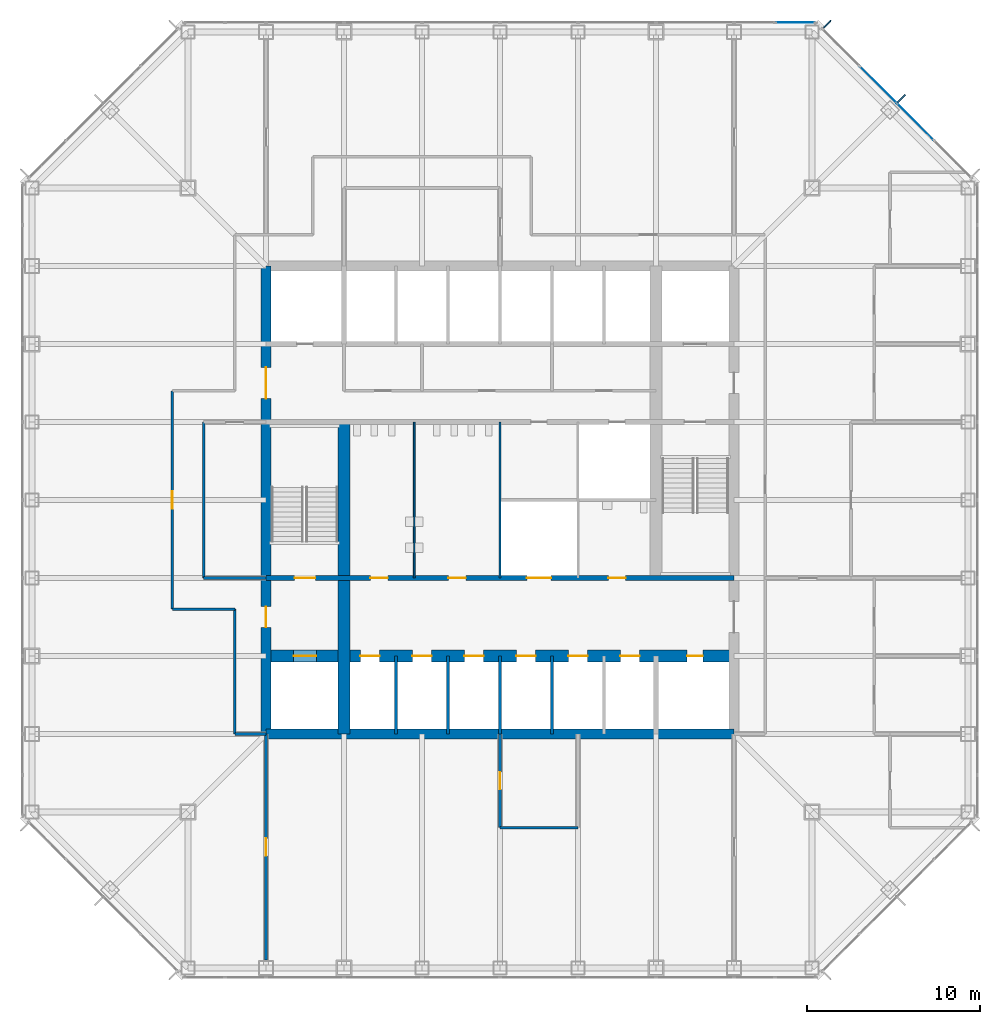
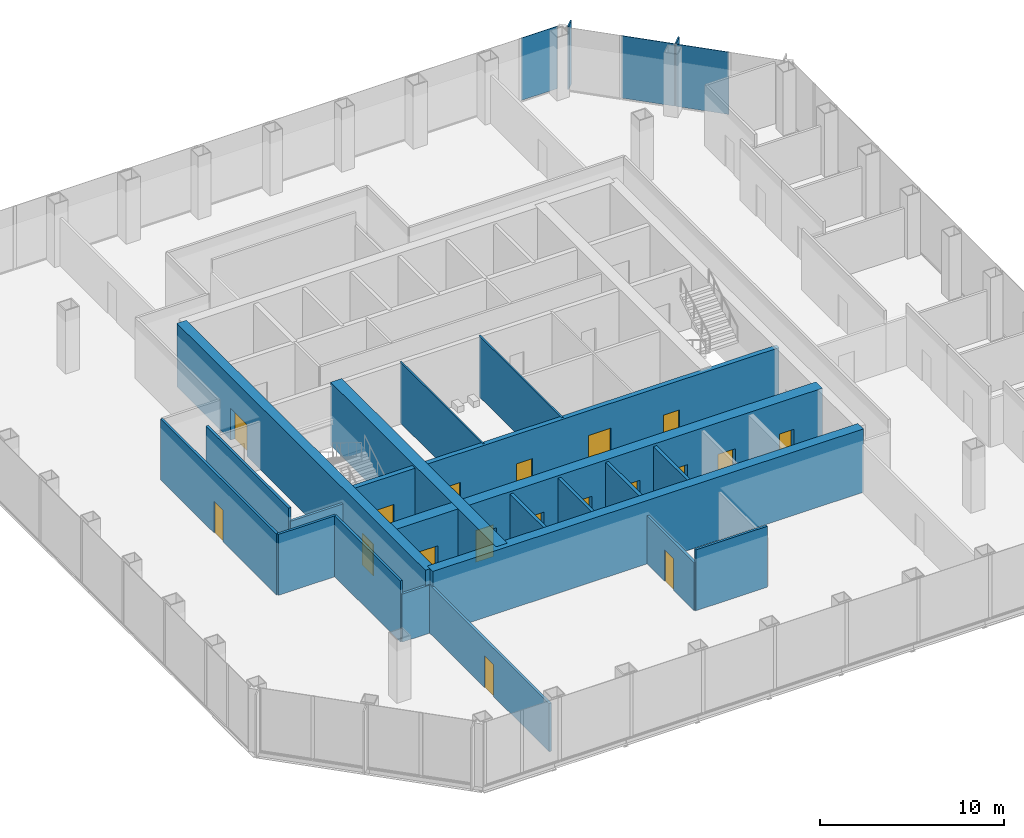
# One storey, part 8 of 12: 20 walls, 18 doors, 5 plates, 18 openings, 2 elements without a shape of their own.
"""IFC4 building model written with IfcOpenShell, lengths in metres."""

import ifcopenshell
import ifcopenshell.guid

model = None  # the IFC model being written
_history = None  # IfcOwnerHistory: only IFC2X3 demands one
_inside = {}  # id of a spatial element -> (the spatial element, [elements in it])
_under = {}  # id of a project, library or spatial element -> (it, [spatial elements below it])
_declared = {}  # id of a project -> (the project, [libraries it declares])
_typed = {}  # id of a type object -> (the type object, [elements of that type])
_made_of = {}  # id of a material, layer set ... -> (it, [elements and type objects made of it])


def new_model(schema):
    """Start an empty IFC model of exactly this schema.

    Asked for "IFC4X3", IfcOpenShell would pick the latest addendum, in which some entities
    have other attributes; the version numbers below select the first issue.
    IFC2X3 requires an IfcOwnerHistory on every rooted entity: one is made here for all.
    """
    global model, _history
    if schema == "IFC4X3":
        model = ifcopenshell.file(schema_version=(4, 3, 0, 0))
    else:
        model = ifcopenshell.file(schema=schema)
    _inside.clear()
    _under.clear()
    _declared.clear()
    _typed.clear()
    _made_of.clear()
    _history = None
    if model.schema == "IFC2X3":
        org = make("IfcOrganization", Name="unknown")
        user = make(
            "IfcPersonAndOrganization",
            ThePerson=make("IfcPerson", FamilyName="unknown"),
            TheOrganization=org,
        )
        app = make(
            "IfcApplication",
            ApplicationDeveloper=org,
            Version="unknown",
            ApplicationFullName="unknown",
            ApplicationIdentifier="unknown",
        )
        _history = make(
            "IfcOwnerHistory",
            OwningUser=user,
            OwningApplication=app,
            ChangeAction="ADDED",
            CreationDate=0,
        )
    return model


def make(cls, **values):
    """One entity of the class cls with the attributes given. An attribute that is None is left unset."""
    return model.create_entity(
        cls, **{name: value for name, value in values.items() if value is not None}
    )


def rooted(cls, **values):
    """An entity with a GlobalId (a new one), such as an element, a storey or a relation."""
    return make(cls, GlobalId=ifcopenshell.guid.new(), OwnerHistory=_history, **values)


def si_unit(unit_type, name, prefix=None):
    """IfcSIUnit, for example si_unit("LENGTHUNIT", "METRE", prefix="MILLI")."""
    return make("IfcSIUnit", UnitType=unit_type, Prefix=prefix, Name=name)


def assignment(units):
    """IfcUnitAssignment: the units of a project."""
    return None if units is None else make("IfcUnitAssignment", Units=units)


def point(xyz):
    """IfcCartesianPoint."""
    return None if xyz is None else make("IfcCartesianPoint", Coordinates=xyz)


def direction(xyz):
    """IfcDirection."""
    return None if xyz is None else make("IfcDirection", DirectionRatios=xyz)


def frame(location, z_axis=None, x_axis=None):
    """IfcAxis2Placement3D, a coordinate frame: its origin and axes. An axis left out is left unset."""
    return make(
        "IfcAxis2Placement3D",
        Location=point(location),
        Axis=direction(z_axis),
        RefDirection=direction(x_axis),
    )


def frame_2d(location, x_axis=None):
    """IfcAxis2Placement2D, a coordinate frame in the plane: its origin and x axis."""
    return make(
        "IfcAxis2Placement2D", Location=point(location), RefDirection=direction(x_axis)
    )


def origin():
    """The frame at (0, 0, 0) with its axes left unset."""
    return frame((0.0, 0.0, 0.0))


def origin_2d():
    """The frame at (0, 0) in the plane with its x axis left unset."""
    return frame_2d((0.0, 0.0))


def place(relative_to, where):
    """IfcLocalPlacement: puts the frame where relative to a parent placement (None: the world)."""
    return make(
        "IfcLocalPlacement", PlacementRelTo=relative_to, RelativePlacement=where
    )


def context(
    kind, dimensions, precision=None, world=None, true_north=None, identifier=None
):
    """IfcGeometricRepresentationContext, for example the 3D "Model" context."""
    return make(
        "IfcGeometricRepresentationContext",
        ContextIdentifier=identifier,
        ContextType=kind,
        CoordinateSpaceDimension=dimensions,
        Precision=precision,
        WorldCoordinateSystem=world,
        TrueNorth=true_north,
    )


def subcontext(parent, identifier, kind, view, scale=None):
    """IfcGeometricRepresentationSubContext, for example "Body" below "Model"."""
    return make(
        "IfcGeometricRepresentationSubContext",
        ContextIdentifier=identifier,
        ContextType=kind,
        ParentContext=parent,
        TargetScale=scale,
        TargetView=view,
    )


def project(units=None, contexts=None):
    """IfcProject with its units and contexts."""
    return rooted(
        "IfcProject",
        Name="project",
        RepresentationContexts=contexts,
        UnitsInContext=assignment(units),
    )


def spatial(cls, under=None, at=None, **own):
    """A site, building, storey or space (cls), placed at a placement, below another one or the project."""
    s = rooted(cls, ObjectPlacement=at, **own)
    if under is not None:
        _under.setdefault(under.id(), (under, []))[1].append(s)
    return s


def profile(cls, at=None, kind="AREA", **sizes):
    """A parametric profile (cls). Its sizes go by their IFC names, for example OverallWidth=200.0."""
    return make(cls, ProfileType=kind, Position=at, **sizes)


def rectangle(**sizes):
    """IfcRectangleProfileDef."""
    return profile("IfcRectangleProfileDef", **sizes)


def extrude(swept, where, along, depth):
    """IfcExtrudedAreaSolid: the profile swept, set in the frame where, extruded along a direction by depth."""
    return make(
        "IfcExtrudedAreaSolid",
        SweptArea=swept,
        Position=where,
        ExtrudedDirection=direction(along),
        Depth=depth,
    )


def shape(context_of_items, identifier, shape_type, items):
    """IfcShapeRepresentation: the items that make up one representation, for example the "Body"."""
    return make(
        "IfcShapeRepresentation",
        ContextOfItems=context_of_items,
        RepresentationIdentifier=identifier,
        RepresentationType=shape_type,
        Items=items,
    )


def material(Name=None, Category=None):
    """IfcMaterial."""
    return make("IfcMaterial", Name=Name, Category=Category)


def layer(
    of_material, thickness, ventilated=None, Name=None, Category=None, Priority=None
):
    """IfcMaterialLayer: one layer of a wall or slab, of a material (None: an air gap)."""
    return make(
        "IfcMaterialLayer",
        Material=of_material,
        LayerThickness=thickness,
        IsVentilated=ventilated,
        Name=Name,
        Category=Category,
        Priority=Priority,
    )


def layer_set(layers, Name=None):
    """IfcMaterialLayerSet."""
    return make("IfcMaterialLayerSet", MaterialLayers=layers, LayerSetName=Name)


def made_of(thing, what):
    """Note that an element or type object is made of a material, layer set ...; save() writes the relation."""
    if what is not None:
        _made_of.setdefault(what.id(), (what, []))[1].append(thing)
    return thing


def type_object(cls, material=None, **own):
    """A type object (cls), such as IfcWallType, which elements share."""
    return made_of(rooted(cls, **own), material)


def element(
    cls,
    number,
    at=None,
    inside=None,
    cuts=None,
    type_object=None,
    material=None,
    context=None,
    identifier="Body",
    shape_type=None,
    held_by="IfcProductDefinitionShape",
    body=None,
    shapes=None,
    **own,
):
    """One element of the class cls, such as IfcWall. Its Tag is "e" and its number.

    at: its placement. inside: the storey or other place that contains it. cuts: it is an
    opening in that element (IfcRelVoidsElement). A single representation is given by context,
    identifier, shape_type and body (its items); several are given by shapes. held_by: the class
    of the entity that holds the representations. save() writes the other relations.
    """
    e = rooted(cls, Tag="e%d" % number, ObjectPlacement=at, **own)
    if body is not None:
        shapes = [shape(context, identifier, shape_type, body)]
    if shapes is not None:
        e.Representation = make(held_by, Representations=shapes)
    if inside is not None:
        _inside.setdefault(inside.id(), (inside, []))[1].append(e)
    if cuts is not None:
        rooted(
            "IfcRelVoidsElement", RelatingBuildingElement=cuts, RelatedOpeningElement=e
        )
    if type_object is not None:
        _typed.setdefault(type_object.id(), (type_object, []))[1].append(e)
    return made_of(e, material)


def fill(opening, filler):
    """IfcRelFillsElement: the door or window that sits in an opening."""
    return rooted(
        "IfcRelFillsElement",
        RelatingOpeningElement=opening,
        RelatedBuildingElement=filler,
    )


def aggregate(whole, parts):
    """IfcRelAggregates: a whole, such as a stair, and the parts it consists of."""
    return rooted("IfcRelAggregates", RelatingObject=whole, RelatedObjects=parts)


def save(model, path):
    """Write the relations noted so far, then the file.

    IfcRelAggregates (storeys below a building ...), IfcRelContainedInSpatialStructure (elements
    in a storey), IfcRelDefinesByType, IfcRelAssociatesMaterial and IfcRelDeclares: one each for
    every whole, place, type object, material and project.
    """
    for whole, parts in _under.values():
        aggregate(whole, parts)
    for where, things in _inside.values():
        rooted(
            "IfcRelContainedInSpatialStructure",
            RelatedElements=things,
            RelatingStructure=where,
        )
    for kind, things in _typed.values():
        rooted("IfcRelDefinesByType", RelatedObjects=things, RelatingType=kind)
    for what, things in _made_of.values():
        rooted("IfcRelAssociatesMaterial", RelatedObjects=things, RelatingMaterial=what)
    for by, libraries in _declared.values():
        rooted("IfcRelDeclares", RelatingContext=by, RelatedDefinitions=libraries)
    model.write(path)


model = new_model("IFC4")

# Units and contexts
model_context = context("Model", 3, precision=1e-05, world=origin(), true_north=direction((0.0, 1.0)))
body_context = subcontext(model_context, "Body", "Model", "MODEL_VIEW")
ifc_project = project(units=[si_unit("LENGTHUNIT", "METRE"), si_unit("AREAUNIT", "SQUARE_METRE"), si_unit("VOLUMEUNIT", "CUBIC_METRE"), si_unit("PLANEANGLEUNIT", "RADIAN"), si_unit("MASSUNIT", "GRAM", prefix="KILO")], contexts=[model_context])

# Site, building, storey
site_placement = place(None, origin())
site = spatial("IfcSite", under=ifc_project, at=site_placement, CompositionType="ELEMENT")
building_placement = place(site_placement, origin())
building = spatial("IfcBuilding", under=site, at=building_placement, Name="Corais Broadcast Tower", CompositionType="ELEMENT")
storey_placement = place(building_placement, frame((0.0, 0.0, 71.0)))
storey = spatial("IfcBuildingStorey", under=building, at=storey_placement, Name="L15", CompositionType="ELEMENT", Elevation=71.0)

# Curtain wall, plate
ifc_material_1 = material(Name="Aluminium and glass", Category="aluminium")
curtain_wall_type = type_object("IfcCurtainWallType", Name="Unitised fritted curtain wall CW1", PredefinedType="NOTDEFINED", material=ifc_material_1)
curtain_wall_1_placement = place(storey_placement, origin())
curtain_wall_1 = element("IfcCurtainWall", 1, at=curtain_wall_1_placement, inside=storey, type_object=curtain_wall_type, Name="CW1 curtain wall L15 5", PredefinedType="NOTDEFINED")
ifc_material_2 = material(Name="Ceramic-fritted laminated glass", Category="glass")
ifc_layer_1 = layer(ifc_material_2, 0.030029296875)
ifc_layer_set_1 = layer_set([ifc_layer_1], Name="Ceramic-fritted laminated glass")
plate_type_1 = type_object("IfcPlateType", Name="Fritted glass panel CW1", PredefinedType="CURTAIN_PANEL", material=ifc_layer_set_1)
plate_1_placement = place(storey_placement, frame((50.9658203125, 48.81201171875, 0.06494140625), z_axis=(0.0, 0.0, 1.0), x_axis=(0.707106781187, -0.707106781187, 0.0)))
plate_1 = element("IfcPlate", 2, at=plate_1_placement, type_object=plate_type_1, Name="CW1 panel 3", PredefinedType="CURTAIN_PANEL", context=body_context, shape_type="SweptSolid", body=[
    extrude(rectangle(XDim=2.98095703125, YDim=0.030029296875, at=origin_2d()), origin(), (0.0, 0.0, 1.0), 4.135009765625),
])

curtain_wall_2_placement = place(storey_placement, origin())
curtain_wall_2 = element("IfcCurtainWall", 3, at=curtain_wall_2_placement, inside=storey, type_object=curtain_wall_type, Name="CW1 curtain wall L15 4", PredefinedType="NOTDEFINED")
ifc_material_3 = material(Name="Clear laminated glass", Category="glass")
ifc_layer_2 = layer(ifc_material_3, 0.033935546875)
ifc_layer_set_2 = layer_set([ifc_layer_2], Name="Clear laminated glass")
plate_type_2 = type_object("IfcPlateType", Name="Operable glass panel CW1", PredefinedType="CURTAIN_PANEL", material=ifc_layer_set_2)
plate_2_placement = place(storey_placement, frame((44.029541015625, 54.550048828125, 0.06494140625), z_axis=(0.0, 0.0, 1.0), x_axis=(1.0, 0.0, 0.0)))
plate_2 = element("IfcPlate", 4, at=plate_2_placement, type_object=plate_type_2, Name="CW1 operable panel 10", PredefinedType="CURTAIN_PANEL", context=body_context, shape_type="SweptSolid", body=[
    extrude(rectangle(XDim=2.266357421875, YDim=0.033935546875, at=origin_2d()), origin(), (0.0, 0.0, 1.0), 4.135009765625),
])
aggregate(curtain_wall_2, [plate_2])

# Plate
plate_3_placement = place(storey_placement, frame((48.81201171875, 50.9658203125, 0.06494140625), z_axis=(0.0, 0.0, 1.0), x_axis=(0.707106781187, -0.707106781187, 0.0)))
plate_3 = element("IfcPlate", 5, at=plate_3_placement, type_object=plate_type_2, Name="CW1 operable panel 2", PredefinedType="CURTAIN_PANEL", context=body_context, shape_type="SweptSolid", body=[
    extrude(rectangle(XDim=2.98095703125, YDim=0.033935546875, at=origin_2d()), origin(), (0.0, 0.0, 1.0), 4.135009765625),
])

aggregate(curtain_wall_1, [plate_3, plate_1])

# Plates
ifc_material_4 = material(Name="Granite stone cladding", Category="masonry")
ifc_layer_3 = layer(ifc_material_4, 0.080078125)
ifc_layer_set_3 = layer_set([ifc_layer_3], Name="Granite stone cladding")
plate_type_3 = type_object("IfcPlateType", Name="Stone screen fin 80x600", PredefinedType="USERDEFINED", material=ifc_layer_set_3)
for number, where, z_axis, x_axis, name in (
    (6, (45.885009765625, 54.4541015625, 0.0), (0.0, 0.0, 1.0), (0.707106781187, -0.707106781187, 0.0), "SF1 stone screen fin L15"),
    (7, (50.169677734375, 50.169677734375, 0.0), (0.0, 0.0, 1.0), (0.707106781187, -0.707106781187, 0.0), "SF1 stone screen fin L15"),
):
    element("IfcPlate", number, at=place(storey_placement, frame(where, z_axis=z_axis, x_axis=x_axis)), inside=storey, type_object=plate_type_3, Name=name, ObjectType="STONE SCREEN FIN", PredefinedType="USERDEFINED", context=body_context, shape_type="SweptSolid", body=[
        extrude(rectangle(XDim=0.080078125, YDim=0.60009765625, at=origin_2d()), origin(), (0.0, 0.0, 1.0), 4.199951171875),
    ])

# Wall, openings, doors
ifc_material_5 = material(Name="Concrete blockwork class A, grouted, two-hour", Category="masonry")
ifc_layer_4 = layer(ifc_material_5, 0.300048828125)
ifc_layer_set_4 = layer_set([ifc_layer_4], Name="Concrete blockwork class A, grouted, two-hour")
wall_type_1 = type_object("IfcWallType", Name="Core lobby wall 300", PredefinedType="SOLIDWALL", material=ifc_layer_set_4)
wall_1_placement = place(storey_placement, frame((13.5, 22.5, 0.0), z_axis=(0.0, 0.0, 1.0), x_axis=(1.0, 0.0, 0.0)))
wall_1 = element("IfcWall", 8, at=wall_1_placement, inside=storey, type_object=wall_type_1, Name="CL1 core lobby wall Y225 L15", PredefinedType="SOLIDWALL", context=body_context, shape_type="SweptSolid", body=[
    extrude(rectangle(XDim=27.0, YDim=0.300048828125, at=frame_2d((13.5, 0.0))), origin(), (0.0, 0.0, 1.0), 4.0400390625),
])
opening_1_placement = place(wall_1_placement, frame((1.64990234375, 0.0, 0.0)))
opening_1 = element("IfcOpeningElement", 9, at=opening_1_placement, cuts=wall_1, Name="Opening FD1", PredefinedType="OPENING", context=body_context, shape_type="SweptSolid", body=[
    extrude(rectangle(XDim=1.199951171875, YDim=2.10009765625, at=frame_2d((0.60009765625, 1.050048828125))), frame((0.0, 0.159912109375, 0.0), z_axis=(0.0, -1.0, 0.0), x_axis=(1.0, 0.0, 0.0)), (0.0, 0.0, 1.0), 0.320068359375),
])
opening_2_placement = place(wall_1_placement, frame((6.02490234375, 0.0, 0.0)))
opening_2 = element("IfcOpeningElement", 10, at=opening_2_placement, cuts=wall_1, Name="Opening WD1", PredefinedType="OPENING", context=body_context, shape_type="SweptSolid", body=[
    extrude(rectangle(XDim=1.0, YDim=2.10009765625, at=frame_2d((0.5, 1.050048828125))), frame((0.0, 0.159912109375, 0.0), z_axis=(0.0, -1.0, 0.0), x_axis=(1.0, 0.0, 0.0)), (0.0, 0.0, 1.0), 0.320068359375),
])
opening_3_placement = place(wall_1_placement, frame((10.52490234375, 0.0, 0.0)))
opening_3 = element("IfcOpeningElement", 11, at=opening_3_placement, cuts=wall_1, Name="Opening WD1", PredefinedType="OPENING", context=body_context, shape_type="SweptSolid", body=[
    extrude(rectangle(XDim=1.0, YDim=2.10009765625, at=frame_2d((0.5, 1.050048828125))), frame((0.0, 0.159912109375, 0.0), z_axis=(0.0, -1.0, 0.0), x_axis=(1.0, 0.0, 0.0)), (0.0, 0.0, 1.0), 0.320068359375),
])
opening_4_placement = place(wall_1_placement, frame((19.75, 0.0, 0.0)))
opening_4 = element("IfcOpeningElement", 12, at=opening_4_placement, cuts=wall_1, Name="Opening WD1", PredefinedType="OPENING", context=body_context, shape_type="SweptSolid", body=[
    extrude(rectangle(XDim=1.0, YDim=2.10009765625, at=frame_2d((0.5, 1.050048828125))), frame((0.0, 0.159912109375, 0.0), z_axis=(0.0, -1.0, 0.0), x_axis=(1.0, 0.0, 0.0)), (0.0, 0.0, 1.0), 0.320068359375),
])
opening_5_placement = place(wall_1_placement, frame((15.050048828125, 0.0, 0.0)))
opening_5 = element("IfcOpeningElement", 13, at=opening_5_placement, cuts=wall_1, Name="Opening LD3", PredefinedType="OPENING", context=body_context, shape_type="SweptSolid", body=[
    extrude(rectangle(XDim=1.39990234375, YDim=2.39990234375, at=frame_2d((0.699951171875, 1.199951171875))), frame((0.0, 0.159912109375, 0.0), z_axis=(0.0, -1.0, 0.0), x_axis=(1.0, 0.0, 0.0)), (0.0, 0.0, 1.0), 0.320068359375),
])
ifc_material_6 = material(Name="Steel fire door", Category="steel")
door_type_1 = type_object("IfcDoorType", Name="Fire door 1200x2100", OperationType="SINGLE_SWING_LEFT", PredefinedType="DOOR", material=ifc_material_6)
door_1_placement = place(opening_1_placement, origin())
door_1 = element("IfcDoor", 14, at=door_1_placement, inside=storey, type_object=door_type_1, Name="FD1 stair A door L15", OperationType="SINGLE_SWING_LEFT", OverallHeight=2.10009765625, OverallWidth=1.199951171875, PredefinedType="DOOR", context=body_context, shape_type="SweptSolid", body=[
    extrude(rectangle(XDim=1.199951171875, YDim=2.10009765625, at=frame_2d((0.60009765625, 1.050048828125))), frame((0.0, 0.02490234375, 0.0), z_axis=(0.0, -1.0, 0.0), x_axis=(1.0, 0.0, 0.0)), (0.0, 0.0, 1.0), 0.050048828125),
])
fill(opening_1, door_1)
ifc_material_7 = material(Name="Stainless steel lift door", Category="steel")
door_type_2 = type_object("IfcDoorType", Name="Service lift landing door 1400x2400", OperationType="SLIDING_TO_LEFT", PredefinedType="DOOR", material=ifc_material_7)
door_2_placement = place(opening_5_placement, origin())
door_2 = element("IfcDoor", 15, at=door_2_placement, inside=storey, type_object=door_type_2, Name="LD3 SL1 landing door L15", OperationType="SLIDING_TO_LEFT", OverallHeight=2.39990234375, OverallWidth=1.39990234375, PredefinedType="DOOR", context=body_context, shape_type="SweptSolid", body=[
    extrude(rectangle(XDim=1.39990234375, YDim=2.39990234375, at=frame_2d((0.699951171875, 1.199951171875))), frame((0.0, 0.02490234375, 0.0), z_axis=(0.0, -1.0, 0.0), x_axis=(1.0, 0.0, 0.0)), (0.0, 0.0, 1.0), 0.050048828125),
])
fill(opening_5, door_2)
ifc_material_8 = material(Name="Timber door", Category="wood")
door_type_3 = type_object("IfcDoorType", Name="Toilet door 1000x2100", OperationType="SINGLE_SWING_LEFT", PredefinedType="DOOR", material=ifc_material_8)
door_3_placement = place(opening_2_placement, origin())
door_3 = element("IfcDoor", 16, at=door_3_placement, inside=storey, type_object=door_type_3, Name="WD1 WC male door L15", OperationType="SINGLE_SWING_LEFT", OverallHeight=2.10009765625, OverallWidth=1.0, PredefinedType="DOOR", context=body_context, shape_type="SweptSolid", body=[
    extrude(rectangle(XDim=1.0, YDim=2.10009765625, at=frame_2d((0.5, 1.050048828125))), frame((0.0, 0.02490234375, 0.0), z_axis=(0.0, -1.0, 0.0), x_axis=(1.0, 0.0, 0.0)), (0.0, 0.0, 1.0), 0.050048828125),
])
fill(opening_2, door_3)
door_4_placement = place(opening_3_placement, origin())
door_4 = element("IfcDoor", 17, at=door_4_placement, inside=storey, type_object=door_type_3, Name="WD1 WC female door L15", OperationType="SINGLE_SWING_LEFT", OverallHeight=2.10009765625, OverallWidth=1.0, PredefinedType="DOOR", context=body_context, shape_type="SweptSolid", body=[
    extrude(rectangle(XDim=1.0, YDim=2.10009765625, at=frame_2d((0.5, 1.050048828125))), frame((0.0, 0.02490234375, 0.0), z_axis=(0.0, -1.0, 0.0), x_axis=(1.0, 0.0, 0.0)), (0.0, 0.0, 1.0), 0.050048828125),
])
fill(opening_3, door_4)
door_5_placement = place(opening_4_placement, origin())
door_5 = element("IfcDoor", 18, at=door_5_placement, inside=storey, type_object=door_type_3, Name="WD1 accessible WC door L15", OperationType="SINGLE_SWING_RIGHT", OverallHeight=2.10009765625, OverallWidth=1.0, PredefinedType="DOOR", context=body_context, shape_type="SweptSolid", body=[
    extrude(rectangle(XDim=1.0, YDim=2.10009765625, at=frame_2d((0.5, 1.050048828125))), frame((0.0, 0.02490234375, 0.0), z_axis=(0.0, -1.0, 0.0), x_axis=(1.0, 0.0, 0.0)), (0.0, 0.0, 1.0), 0.050048828125),
])
fill(opening_4, door_5)

# Wall
ifc_material_9 = material(Name="Concrete C50/60", Category="concrete")
ifc_layer_5 = layer(ifc_material_9, 0.699951171875)
ifc_layer_set_5 = layer_set([ifc_layer_5], Name="Concrete C50/60")
wall_type_2 = type_object("IfcWallType", Name="Core spine wall 700", PredefinedType="SHEAR", material=ifc_layer_set_5)
wall_2_placement = place(storey_placement, frame((18.0, 13.5, 0.0), z_axis=(0.0, 0.0, 1.0), x_axis=(0.0, 1.0, 0.0)))
element("IfcWall", 19, at=wall_2_placement, inside=storey, type_object=wall_type_2, Name="CR700 core wall X18A L15", PredefinedType="SHEAR", context=body_context, shape_type="SweptSolid", body=[
    extrude(rectangle(XDim=18.0, YDim=0.699951171875, at=frame_2d((9.0, 0.0))), origin(), (0.0, 0.0, 1.0), 4.199951171875),
])

# Wall, openings, doors
wall_3_placement = place(storey_placement, frame((13.5, 18.0, 0.0), z_axis=(0.0, 0.0, 1.0), x_axis=(1.0, 0.0, 0.0)))
wall_3 = element("IfcWall", 20, at=wall_3_placement, inside=storey, type_object=wall_type_2, Name="CR700 core wall Y18 L15", PredefinedType="SHEAR", context=body_context, shape_type="SweptSolid", body=[
    extrude(rectangle(XDim=27.0, YDim=0.699951171875, at=frame_2d((13.5, 0.0))), origin(), (0.0, 0.0, 1.0), 4.199951171875),
])
opening_6_placement = place(wall_3_placement, frame((24.300048828125, 0.0, 0.0)))
opening_6 = element("IfcOpeningElement", 21, at=opening_6_placement, cuts=wall_3, Name="Opening RD1", PredefinedType="OPENING", context=body_context, shape_type="SweptSolid", body=[
    extrude(rectangle(XDim=0.89990234375, YDim=2.10009765625, at=frame_2d((0.449951171875, 1.050048828125))), frame((0.0, 0.35986328125, 0.0), z_axis=(0.0, -1.0, 0.0), x_axis=(1.0, 0.0, 0.0)), (0.0, 0.0, 1.0), 0.719970703125),
])
opening_7_placement = place(wall_3_placement, frame((5.449951171875, 0.0, 0.0)))
opening_7 = element("IfcOpeningElement", 22, at=opening_7_placement, cuts=wall_3, Name="Opening LD1", PredefinedType="OPENING", context=body_context, shape_type="SweptSolid", body=[
    extrude(rectangle(XDim=1.10009765625, YDim=2.10009765625, at=frame_2d((0.550048828125, 1.050048828125))), frame((0.0, 0.35986328125, 0.0), z_axis=(0.0, -1.0, 0.0), x_axis=(1.0, 0.0, 0.0)), (0.0, 0.0, 1.0), 0.719970703125),
])
opening_8_placement = place(wall_3_placement, frame((8.449951171875, 0.0, 0.0)))
opening_8 = element("IfcOpeningElement", 23, at=opening_8_placement, cuts=wall_3, Name="Opening LD1", PredefinedType="OPENING", context=body_context, shape_type="SweptSolid", body=[
    extrude(rectangle(XDim=1.10009765625, YDim=2.10009765625, at=frame_2d((0.550048828125, 1.050048828125))), frame((0.0, 0.35986328125, 0.0), z_axis=(0.0, -1.0, 0.0), x_axis=(1.0, 0.0, 0.0)), (0.0, 0.0, 1.0), 0.719970703125),
])
opening_9_placement = place(wall_3_placement, frame((11.449951171875, 0.0, 0.0)))
opening_9 = element("IfcOpeningElement", 24, at=opening_9_placement, cuts=wall_3, Name="Opening LD1", PredefinedType="OPENING", context=body_context, shape_type="SweptSolid", body=[
    extrude(rectangle(XDim=1.10009765625, YDim=2.10009765625, at=frame_2d((0.550048828125, 1.050048828125))), frame((0.0, 0.35986328125, 0.0), z_axis=(0.0, -1.0, 0.0), x_axis=(1.0, 0.0, 0.0)), (0.0, 0.0, 1.0), 0.719970703125),
])
opening_10_placement = place(wall_3_placement, frame((14.449951171875, 0.0, 0.0)))
opening_10 = element("IfcOpeningElement", 25, at=opening_10_placement, cuts=wall_3, Name="Opening LD1", PredefinedType="OPENING", context=body_context, shape_type="SweptSolid", body=[
    extrude(rectangle(XDim=1.10009765625, YDim=2.10009765625, at=frame_2d((0.550048828125, 1.050048828125))), frame((0.0, 0.35986328125, 0.0), z_axis=(0.0, -1.0, 0.0), x_axis=(1.0, 0.0, 0.0)), (0.0, 0.0, 1.0), 0.719970703125),
])
opening_11_placement = place(wall_3_placement, frame((17.449951171875, 0.0, 0.0)))
opening_11 = element("IfcOpeningElement", 26, at=opening_11_placement, cuts=wall_3, Name="Opening LD1", PredefinedType="OPENING", context=body_context, shape_type="SweptSolid", body=[
    extrude(rectangle(XDim=1.10009765625, YDim=2.10009765625, at=frame_2d((0.550048828125, 1.050048828125))), frame((0.0, 0.35986328125, 0.0), z_axis=(0.0, -1.0, 0.0), x_axis=(1.0, 0.0, 0.0)), (0.0, 0.0, 1.0), 0.719970703125),
])
opening_12_placement = place(wall_3_placement, frame((20.449951171875, 0.0, 0.0)))
opening_12 = element("IfcOpeningElement", 27, at=opening_12_placement, cuts=wall_3, Name="Opening LD1", PredefinedType="OPENING", context=body_context, shape_type="SweptSolid", body=[
    extrude(rectangle(XDim=1.10009765625, YDim=2.10009765625, at=frame_2d((0.550048828125, 1.050048828125))), frame((0.0, 0.35986328125, 0.0), z_axis=(0.0, -1.0, 0.0), x_axis=(1.0, 0.0, 0.0)), (0.0, 0.0, 1.0), 0.719970703125),
])
opening_13_placement = place(wall_3_placement, frame((1.60009765625, 0.0, 0.0)))
opening_13 = element("IfcOpeningElement", 28, at=opening_13_placement, cuts=wall_3, Name="Opening LD2", PredefinedType="OPENING", context=body_context, shape_type="SweptSolid", body=[
    extrude(rectangle(XDim=1.300048828125, YDim=2.199951171875, at=frame_2d((0.64990234375, 1.10009765625))), frame((0.0, 0.35986328125, 0.0), z_axis=(0.0, -1.0, 0.0), x_axis=(1.0, 0.0, 0.0)), (0.0, 0.0, 1.0), 0.719970703125),
])
ifc_material_10 = material(Name="Stainless steel lift door", Category="steel")
door_type_4 = type_object("IfcDoorType", Name="Lift landing door 1100x2100", OperationType="SLIDING_TO_LEFT", PredefinedType="DOOR", material=ifc_material_10)
door_6_placement = place(opening_7_placement, origin())
door_6 = element("IfcDoor", 29, at=door_6_placement, inside=storey, type_object=door_type_4, Name="LD1 PL1 landing door L15", OperationType="SLIDING_TO_LEFT", OverallHeight=2.10009765625, OverallWidth=1.10009765625, PredefinedType="DOOR", context=body_context, shape_type="SweptSolid", body=[
    extrude(rectangle(XDim=1.10009765625, YDim=2.10009765625, at=frame_2d((0.550048828125, 1.050048828125))), frame((0.0, 0.02490234375, 0.0), z_axis=(0.0, -1.0, 0.0), x_axis=(1.0, 0.0, 0.0)), (0.0, 0.0, 1.0), 0.050048828125),
])
fill(opening_7, door_6)
door_7_placement = place(opening_8_placement, origin())
door_7 = element("IfcDoor", 30, at=door_7_placement, inside=storey, type_object=door_type_4, Name="LD1 PL2 landing door L15", OperationType="SLIDING_TO_LEFT", OverallHeight=2.10009765625, OverallWidth=1.10009765625, PredefinedType="DOOR", context=body_context, shape_type="SweptSolid", body=[
    extrude(rectangle(XDim=1.10009765625, YDim=2.10009765625, at=frame_2d((0.550048828125, 1.050048828125))), frame((0.0, 0.02490234375, 0.0), z_axis=(0.0, -1.0, 0.0), x_axis=(1.0, 0.0, 0.0)), (0.0, 0.0, 1.0), 0.050048828125),
])
fill(opening_8, door_7)
door_8_placement = place(opening_9_placement, origin())
door_8 = element("IfcDoor", 31, at=door_8_placement, inside=storey, type_object=door_type_4, Name="LD1 PL3 landing door L15", OperationType="SLIDING_TO_LEFT", OverallHeight=2.10009765625, OverallWidth=1.10009765625, PredefinedType="DOOR", context=body_context, shape_type="SweptSolid", body=[
    extrude(rectangle(XDim=1.10009765625, YDim=2.10009765625, at=frame_2d((0.550048828125, 1.050048828125))), frame((0.0, 0.02490234375, 0.0), z_axis=(0.0, -1.0, 0.0), x_axis=(1.0, 0.0, 0.0)), (0.0, 0.0, 1.0), 0.050048828125),
])
fill(opening_9, door_8)
door_9_placement = place(opening_10_placement, origin())
door_9 = element("IfcDoor", 32, at=door_9_placement, inside=storey, type_object=door_type_4, Name="LD1 PL4 landing door L15", OperationType="SLIDING_TO_LEFT", OverallHeight=2.10009765625, OverallWidth=1.10009765625, PredefinedType="DOOR", context=body_context, shape_type="SweptSolid", body=[
    extrude(rectangle(XDim=1.10009765625, YDim=2.10009765625, at=frame_2d((0.550048828125, 1.050048828125))), frame((0.0, 0.02490234375, 0.0), z_axis=(0.0, -1.0, 0.0), x_axis=(1.0, 0.0, 0.0)), (0.0, 0.0, 1.0), 0.050048828125),
])
fill(opening_10, door_9)
door_10_placement = place(opening_11_placement, origin())
door_10 = element("IfcDoor", 33, at=door_10_placement, inside=storey, type_object=door_type_4, Name="LD1 PL5 landing door L15", OperationType="SLIDING_TO_LEFT", OverallHeight=2.10009765625, OverallWidth=1.10009765625, PredefinedType="DOOR", context=body_context, shape_type="SweptSolid", body=[
    extrude(rectangle(XDim=1.10009765625, YDim=2.10009765625, at=frame_2d((0.550048828125, 1.050048828125))), frame((0.0, 0.02490234375, 0.0), z_axis=(0.0, -1.0, 0.0), x_axis=(1.0, 0.0, 0.0)), (0.0, 0.0, 1.0), 0.050048828125),
])
fill(opening_11, door_10)
door_11_placement = place(opening_12_placement, origin())
door_11 = element("IfcDoor", 34, at=door_11_placement, inside=storey, type_object=door_type_4, Name="LD1 PL6 landing door L15", OperationType="SLIDING_TO_LEFT", OverallHeight=2.10009765625, OverallWidth=1.10009765625, PredefinedType="DOOR", context=body_context, shape_type="SweptSolid", body=[
    extrude(rectangle(XDim=1.10009765625, YDim=2.10009765625, at=frame_2d((0.550048828125, 1.050048828125))), frame((0.0, 0.02490234375, 0.0), z_axis=(0.0, -1.0, 0.0), x_axis=(1.0, 0.0, 0.0)), (0.0, 0.0, 1.0), 0.050048828125),
])
fill(opening_12, door_11)
ifc_material_11 = material(Name="Stainless steel lift door", Category="steel")
door_type_5 = type_object("IfcDoorType", Name="Lift landing door 1300x2200", OperationType="SLIDING_TO_LEFT", PredefinedType="DOOR", material=ifc_material_11)
door_12_placement = place(opening_13_placement, origin())
door_12 = element("IfcDoor", 35, at=door_12_placement, inside=storey, type_object=door_type_5, Name="LD2 FL1 landing door L15", OperationType="SLIDING_TO_LEFT", OverallHeight=2.199951171875, OverallWidth=1.300048828125, PredefinedType="DOOR", context=body_context, shape_type="SweptSolid", body=[
    extrude(rectangle(XDim=1.300048828125, YDim=2.199951171875, at=frame_2d((0.64990234375, 1.10009765625))), frame((0.0, 0.02490234375, 0.0), z_axis=(0.0, -1.0, 0.0), x_axis=(1.0, 0.0, 0.0)), (0.0, 0.0, 1.0), 0.050048828125),
])
fill(opening_13, door_12)
ifc_material_12 = material(Name="Steel fire door", Category="steel")
door_type_6 = type_object("IfcDoorType", Name="Riser door 900x2100", OperationType="SINGLE_SWING_LEFT", PredefinedType="DOOR", material=ifc_material_12)
door_13_placement = place(opening_6_placement, origin())
door_13 = element("IfcDoor", 36, at=door_13_placement, inside=storey, type_object=door_type_6, Name="RD1 riser door L15", OperationType="SINGLE_SWING_RIGHT", OverallHeight=2.10009765625, OverallWidth=0.89990234375, PredefinedType="DOOR", context=body_context, shape_type="SweptSolid", body=[
    extrude(rectangle(XDim=0.89990234375, YDim=2.10009765625, at=frame_2d((0.449951171875, 1.050048828125))), frame((0.0, 0.02490234375, 0.0), z_axis=(0.0, -1.0, 0.0), x_axis=(1.0, 0.0, 0.0)), (0.0, 0.0, 1.0), 0.050048828125),
])
fill(opening_6, door_13)

# Wall
ifc_material_13 = material(Name="Concrete C50/60", Category="concrete")
ifc_layer_6 = layer(ifc_material_13, 0.60009765625)
ifc_layer_set_6 = layer_set([ifc_layer_6], Name="Concrete C50/60")
wall_type_3 = type_object("IfcWallType", Name="Core wall 600", PredefinedType="SHEAR", material=ifc_layer_set_6)
wall_4_placement = place(storey_placement, frame((13.5, 13.5, 0.0), z_axis=(0.0, 0.0, 1.0), x_axis=(1.0, 0.0, 0.0)))
element("IfcWall", 37, at=wall_4_placement, inside=storey, type_object=wall_type_3, Name="CR600 core wall S L15", PredefinedType="SHEAR", context=body_context, shape_type="SweptSolid", body=[
    extrude(rectangle(XDim=27.0, YDim=0.60009765625, at=frame_2d((13.5, 0.0))), origin(), (0.0, 0.0, 1.0), 4.199951171875),
])

# Wall, openings, doors
wall_5_placement = place(storey_placement, frame((13.5, 40.5, 0.0), z_axis=(0.0, 0.0, 1.0), x_axis=(0.0, -1.0, 0.0)))
wall_5 = element("IfcWall", 38, at=wall_5_placement, inside=storey, type_object=wall_type_3, Name="CR600 core wall W L15", PredefinedType="SHEAR", context=body_context, shape_type="SweptSolid", body=[
    extrude(rectangle(XDim=27.0, YDim=0.60009765625, at=frame_2d((13.5, 0.0))), origin(), (0.0, 0.0, 1.0), 4.199951171875),
])
opening_14_placement = place(wall_5_placement, frame((19.64990234375, 0.0, 0.0)))
opening_14 = element("IfcOpeningElement", 39, at=opening_14_placement, cuts=wall_5, Name="Opening FD1", PredefinedType="OPENING", context=body_context, shape_type="SweptSolid", body=[
    extrude(rectangle(XDim=1.199951171875, YDim=2.10009765625, at=frame_2d((0.60009765625, 1.050048828125))), frame((0.0, 0.31005859375, 0.0), z_axis=(0.0, -1.0, 0.0), x_axis=(1.0, 0.0, 0.0)), (0.0, 0.0, 1.0), 0.6201171875),
])
opening_15_placement = place(wall_5_placement, frame((5.85009765625, 0.0, 0.0)))
opening_15 = element("IfcOpeningElement", 40, at=opening_15_placement, cuts=wall_5, Name="Opening FD2", PredefinedType="OPENING", context=body_context, shape_type="SweptSolid", body=[
    extrude(rectangle(XDim=1.800048828125, YDim=2.10009765625, at=frame_2d((0.89990234375, 1.050048828125))), frame((0.0, 0.31005859375, 0.0), z_axis=(0.0, -1.0, 0.0), x_axis=(1.0, 0.0, 0.0)), (0.0, 0.0, 1.0), 0.6201171875),
])
door_14_placement = place(opening_14_placement, origin())
door_14 = element("IfcDoor", 41, at=door_14_placement, inside=storey, type_object=door_type_1, Name="FD1 fire lobby A door L15", OperationType="SINGLE_SWING_RIGHT", OverallHeight=2.10009765625, OverallWidth=1.199951171875, PredefinedType="DOOR", context=body_context, shape_type="SweptSolid", body=[
    extrude(rectangle(XDim=1.199951171875, YDim=2.10009765625, at=frame_2d((0.60009765625, 1.050048828125))), frame((0.0, 0.02490234375, 0.0), z_axis=(0.0, -1.0, 0.0), x_axis=(1.0, 0.0, 0.0)), (0.0, 0.0, 1.0), 0.050048828125),
])
fill(opening_14, door_14)
ifc_material_14 = material(Name="Steel fire door", Category="steel")
door_type_7 = type_object("IfcDoorType", Name="Fire door pair 1800x2100", OperationType="DOUBLE_DOOR_SINGLE_SWING", PredefinedType="DOOR", material=ifc_material_14)
door_15_placement = place(opening_15_placement, origin())
door_15 = element("IfcDoor", 42, at=door_15_placement, inside=storey, type_object=door_type_7, Name="FD2 lift lobby door L15", OperationType="SINGLE_SWING_LEFT", OverallHeight=2.10009765625, OverallWidth=1.800048828125, PredefinedType="DOOR", context=body_context, shape_type="SweptSolid", body=[
    extrude(rectangle(XDim=1.800048828125, YDim=2.10009765625, at=frame_2d((0.89990234375, 1.050048828125))), frame((0.0, 0.02490234375, 0.0), z_axis=(0.0, -1.0, 0.0), x_axis=(1.0, 0.0, 0.0)), (0.0, 0.0, 1.0), 0.050048828125),
])
fill(opening_15, door_15)

# Wall, opening, door
ifc_material_15 = material(Name="Gypsum board on steel studs", Category="steel")
ifc_layer_7 = layer(ifc_material_15, 0.14990234375)
ifc_layer_set_7 = layer_set([ifc_layer_7], Name="Gypsum board on steel studs")
wall_type_4 = type_object("IfcWallType", Name="Partition 150", PredefinedType="PARTITIONING", material=ifc_layer_set_7)
wall_6_placement = place(storey_placement, frame((8.10009765625, 33.300048828125, 0.0), z_axis=(0.0, 0.0, 1.0), x_axis=(0.0, -1.0, 0.0)))
wall_6 = element("IfcWall", 43, at=wall_6_placement, inside=storey, type_object=wall_type_4, Name="IW3 corridor wall L15", PredefinedType="PARTITIONING", context=body_context, shape_type="SweptSolid", body=[
    extrude(rectangle(XDim=12.60009765625, YDim=0.14990234375, at=frame_2d((6.300048828125, 0.0))), origin(), (0.0, 0.0, 1.0), 4.0400390625),
])
opening_16_placement = place(wall_6_placement, frame((5.800048828125, 0.0, 0.0)))
opening_16 = element("IfcOpeningElement", 44, at=opening_16_placement, cuts=wall_6, Name="Opening D1", PredefinedType="OPENING", context=body_context, shape_type="SweptSolid", body=[
    extrude(rectangle(XDim=1.0, YDim=2.10009765625, at=frame_2d((0.5, 1.050048828125))), frame((0.0, 0.0849609375, 0.0), z_axis=(0.0, -1.0, 0.0), x_axis=(1.0, 0.0, 0.0)), (0.0, 0.0, 1.0), 0.169921875),
])
ifc_material_16 = material(Name="Timber door", Category="wood")
door_type_8 = type_object("IfcDoorType", Name="Single door 1000x2100", OperationType="SINGLE_SWING_LEFT", PredefinedType="DOOR", material=ifc_material_16)
door_16_placement = place(opening_16_placement, origin())
door_16 = element("IfcDoor", 45, at=door_16_placement, inside=storey, type_object=door_type_8, Name="D1 workplace door L15", OperationType="SINGLE_SWING_LEFT", OverallHeight=2.10009765625, OverallWidth=1.0, PredefinedType="DOOR", context=body_context, shape_type="SweptSolid", body=[
    extrude(rectangle(XDim=1.0, YDim=2.10009765625, at=frame_2d((0.5, 1.050048828125))), frame((0.0, 0.02490234375, 0.0), z_axis=(0.0, -1.0, 0.0), x_axis=(1.0, 0.0, 0.0)), (0.0, 0.0, 1.0), 0.050048828125),
])
fill(opening_16, door_16)

# Walls
wall_7_placement = place(storey_placement, frame((11.699951171875, 20.699951171875, 0.0), z_axis=(0.0, 0.0, 1.0), x_axis=(0.0, -1.0, 0.0)))
element("IfcWall", 46, at=wall_7_placement, inside=storey, type_object=wall_type_4, Name="IW3 corridor wall L15", PredefinedType="PARTITIONING", context=body_context, shape_type="SweptSolid", body=[
    extrude(rectangle(XDim=7.199951171875, YDim=0.14990234375, at=frame_2d((3.60009765625, 0.0))), origin(), (0.0, 0.0, 1.0), 4.0400390625),
])
wall_8_placement = place(storey_placement, frame((8.10009765625, 20.699951171875, 0.0), z_axis=(0.0, 0.0, 1.0), x_axis=(1.0, 0.0, 0.0)))
element("IfcWall", 47, at=wall_8_placement, inside=storey, type_object=wall_type_4, Name="IW3 corridor wall L15", PredefinedType="PARTITIONING", context=body_context, shape_type="SweptSolid", body=[
    extrude(rectangle(XDim=3.599853515625, YDim=0.14990234375, at=frame_2d((1.7998046875, 0.0))), origin(), (0.0, 0.0, 1.0), 4.0400390625),
])
wall_9_placement = place(storey_placement, frame((11.699951171875, 13.5, 0.0), z_axis=(0.0, 0.0, 1.0), x_axis=(1.0, 0.0, 0.0)))
element("IfcWall", 48, at=wall_9_placement, inside=storey, type_object=wall_type_4, Name="IW3 corridor wall L15", PredefinedType="PARTITIONING", context=body_context, shape_type="SweptSolid", body=[
    extrude(rectangle(XDim=1.81005859375, YDim=0.14990234375, at=frame_2d((0.905029296875, 0.0))), origin(), (0.0, 0.0, 1.0), 3.18896484375),
])
wall_10_placement = place(storey_placement, frame((9.89990234375, 22.5, 0.0), z_axis=(0.0, 0.0, 1.0), x_axis=(1.0, 0.0, 0.0)))
element("IfcWall", 49, at=wall_10_placement, inside=storey, type_object=wall_type_4, Name="IW3 partition L15", PredefinedType="PARTITIONING", context=body_context, shape_type="SweptSolid", body=[
    extrude(rectangle(XDim=3.60009765625, YDim=0.14990234375, at=frame_2d((1.800048828125, 0.0))), origin(), (0.0, 0.0, 1.0), 3.18896484375),
])
wall_11_placement = place(storey_placement, frame((9.89990234375, 31.5, 0.0), z_axis=(0.0, 0.0, 1.0), x_axis=(0.0, -1.0, 0.0)))
element("IfcWall", 50, at=wall_11_placement, inside=storey, type_object=wall_type_4, Name="IW3 partition L15", PredefinedType="PARTITIONING", context=body_context, shape_type="SweptSolid", body=[
    extrude(rectangle(XDim=9.0, YDim=0.14990234375, at=frame_2d((4.5, 0.0))), origin(), (0.0, 0.0, 1.0), 4.0400390625),
])
wall_12_placement = place(storey_placement, frame((27.0, 8.10009765625, 0.0), z_axis=(0.0, 0.0, 1.0), x_axis=(1.0, 0.0, 0.0)))
element("IfcWall", 51, at=wall_12_placement, inside=storey, type_object=wall_type_4, Name="IW3 partition L15", PredefinedType="PARTITIONING", context=body_context, shape_type="SweptSolid", body=[
    extrude(rectangle(XDim=4.5, YDim=0.14990234375, at=frame_2d((2.25, 0.0))), origin(), (0.0, 0.0, 1.0), 4.0400390625),
])

# Wall, opening, door
wall_13_placement = place(storey_placement, frame((27.0, 13.5, 0.0), z_axis=(0.0, 0.0, 1.0), x_axis=(0.0, -1.0, 0.0)))
wall_13 = element("IfcWall", 52, at=wall_13_placement, inside=storey, type_object=wall_type_4, Name="IW3 partition L15", PredefinedType="PARTITIONING", context=body_context, shape_type="SweptSolid", body=[
    extrude(rectangle(XDim=5.39990234375, YDim=0.14990234375, at=frame_2d((2.699951171875, 0.0))), origin(), (0.0, 0.0, 1.0), 3.18896484375),
])
opening_17_placement = place(wall_13_placement, frame((2.199951171875, 0.0, 0.0)))
opening_17 = element("IfcOpeningElement", 53, at=opening_17_placement, cuts=wall_13, Name="Opening D1", PredefinedType="OPENING", context=body_context, shape_type="SweptSolid", body=[
    extrude(rectangle(XDim=1.0, YDim=2.10009765625, at=frame_2d((0.5, 1.050048828125))), frame((0.0, 0.0849609375, 0.0), z_axis=(0.0, -1.0, 0.0), x_axis=(1.0, 0.0, 0.0)), (0.0, 0.0, 1.0), 0.169921875),
])
door_17_placement = place(opening_17_placement, origin())
door_17 = element("IfcDoor", 54, at=door_17_placement, inside=storey, type_object=door_type_8, Name="D1 Meeting room door", OperationType="SINGLE_SWING_LEFT", OverallHeight=2.10009765625, OverallWidth=1.0, PredefinedType="DOOR", context=body_context, shape_type="SweptSolid", body=[
    extrude(rectangle(XDim=1.0, YDim=2.10009765625, at=frame_2d((0.5, 1.050048828125))), frame((0.0, 0.02490234375, 0.0), z_axis=(0.0, -1.0, 0.0), x_axis=(1.0, 0.0, 0.0)), (0.0, 0.0, 1.0), 0.050048828125),
])
fill(opening_17, door_17)

wall_14_placement = place(storey_placement, frame((13.5, 0.445068359375, 0.0), z_axis=(0.0, 0.0, 1.0), x_axis=(0.0, 1.0, 0.0)))
wall_14 = element("IfcWall", 55, at=wall_14_placement, inside=storey, type_object=wall_type_4, Name="IW3 partition L15", PredefinedType="PARTITIONING", context=body_context, shape_type="SweptSolid", body=[
    extrude(rectangle(XDim=13.054931640625, YDim=0.14990234375, at=frame_2d((6.52734375, 0.0))), origin(), (0.0, 0.0, 1.0), 3.18896484375),
])
opening_18_placement = place(wall_14_placement, frame((6.027587890625, 0.0, 0.0)))
opening_18 = element("IfcOpeningElement", 56, at=opening_18_placement, cuts=wall_14, Name="Opening D1", PredefinedType="OPENING", context=body_context, shape_type="SweptSolid", body=[
    extrude(rectangle(XDim=1.0, YDim=2.10009765625, at=frame_2d((0.5, 1.050048828125))), frame((0.0, 0.0849609375, 0.0), z_axis=(0.0, -1.0, 0.0), x_axis=(1.0, 0.0, 0.0)), (0.0, 0.0, 1.0), 0.169921875),
])
door_18_placement = place(opening_18_placement, origin())
door_18 = element("IfcDoor", 57, at=door_18_placement, inside=storey, type_object=door_type_8, Name="D1 team room door L15", OperationType="SINGLE_SWING_LEFT", OverallHeight=2.10009765625, OverallWidth=1.0, PredefinedType="DOOR", context=body_context, shape_type="SweptSolid", body=[
    extrude(rectangle(XDim=1.0, YDim=2.10009765625, at=frame_2d((0.5, 1.050048828125))), frame((0.0, 0.02490234375, 0.0), z_axis=(0.0, -1.0, 0.0), x_axis=(1.0, 0.0, 0.0)), (0.0, 0.0, 1.0), 0.050048828125),
])
fill(opening_18, door_18)

# Walls
ifc_material_17 = material(Name="Concrete blockwork class A, grouted, two-hour", Category="masonry")
ifc_layer_8 = layer(ifc_material_17, 0.199951171875)
ifc_layer_set_8 = layer_set([ifc_layer_8], Name="Concrete blockwork class A, grouted, two-hour")
wall_type_5 = type_object("IfcWallType", Name="Shaft wall 200", PredefinedType="PARTITIONING", material=ifc_layer_set_8)
for number, where, z_axis, x_axis, name in (
    (58, (21.0, 13.5, 0.0), (0.0, 0.0, 1.0), (0.0, 1.0, 0.0), "IW1 shaft wall L15"),
    (59, (24.0, 13.5, 0.0), (0.0, 0.0, 1.0), (0.0, 1.0, 0.0), "IW1 shaft wall L15"),
    (60, (27.0, 13.5, 0.0), (0.0, 0.0, 1.0), (0.0, 1.0, 0.0), "IW1 shaft wall L15"),
    (61, (30.0, 13.5, 0.0), (0.0, 0.0, 1.0), (0.0, 1.0, 0.0), "IW1 shaft wall L15"),
):
    element("IfcWall", number, at=place(storey_placement, frame(where, z_axis=z_axis, x_axis=x_axis)), inside=storey, type_object=wall_type_5, Name=name, PredefinedType="PARTITIONING", context=body_context, shape_type="SweptSolid", body=[
        extrude(rectangle(XDim=4.5, YDim=0.199951171875, at=frame_2d((2.25, 0.0))), origin(), (0.0, 0.0, 1.0), 4.0400390625),
    ])
ifc_material_18 = material(Name="Dense concrete blockwork class A, tiled both faces", Category="masonry")
ifc_layer_9 = layer(ifc_material_18, 0.10009765625)
ifc_layer_set_9 = layer_set([ifc_layer_9], Name="Dense concrete blockwork class A, tiled both faces")
wall_type_6 = type_object("IfcWallType", Name="Toilet wall 100", PredefinedType="PLUMBINGWALL", material=ifc_layer_set_9)
for number, where, z_axis, x_axis, name in (
    (62, (22.050048828125, 22.5, 0.0), (0.0, 0.0, 1.0), (0.0, 1.0, 0.0), "IW2 toilet wall L15"),
    (63, (27.0, 22.5, 0.0), (0.0, 0.0, 1.0), (0.0, 1.0, 0.0), "IW2 toilet wall L15"),
):
    element("IfcWall", number, at=place(storey_placement, frame(where, z_axis=z_axis, x_axis=x_axis)), inside=storey, type_object=wall_type_6, Name=name, PredefinedType="PLUMBINGWALL", context=body_context, shape_type="SweptSolid", body=[
        extrude(rectangle(XDim=9.0, YDim=0.10009765625, at=frame_2d((4.5, 0.0))), origin(), (0.0, 0.0, 1.0), 4.0400390625),
    ])

save(model, "model.ifc")
